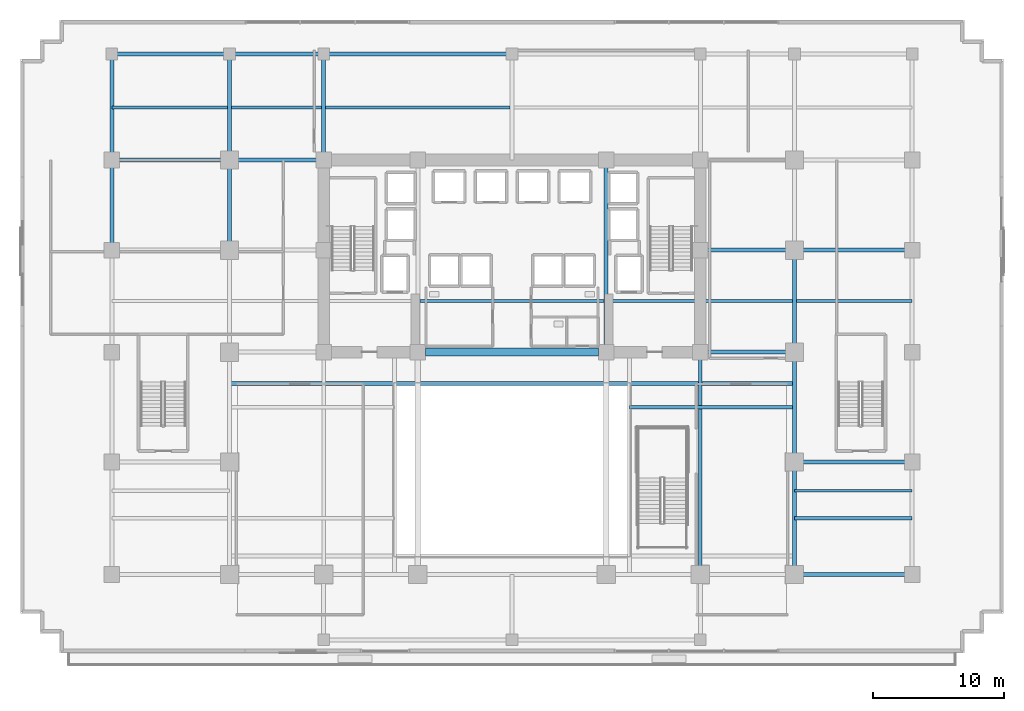
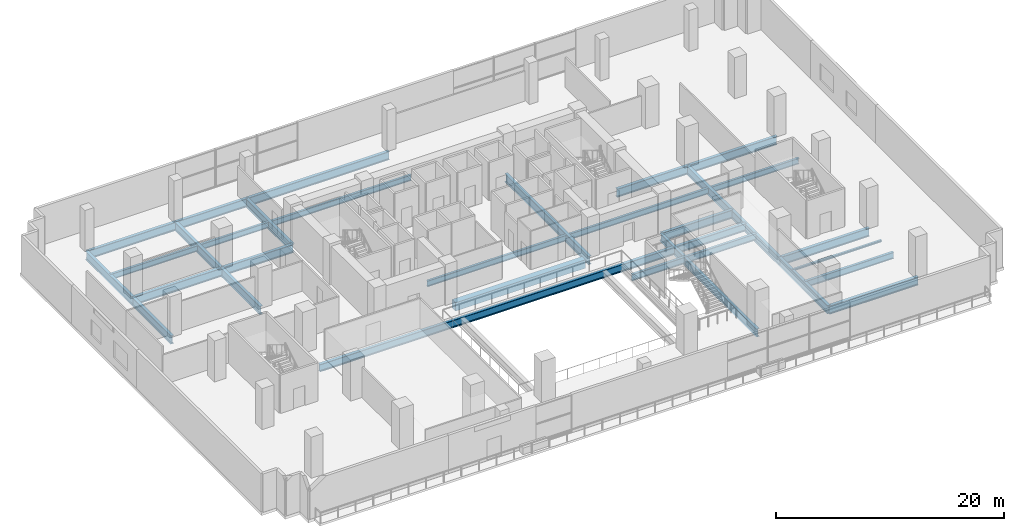
# One storey, part 7 of 22: 31 beams.
"""IFC4 building model written with IfcOpenShell, lengths in metres."""

from ifc_helpers import new_model, si_unit, direction, frame, origin, origin_2d, place, context, subcontext, project, spatial, rectangle, i_section, extrude, material, material_profile, profile_set, type_object, element, save


model = new_model("IFC4")

# Units and contexts
model_context = context("Model", 3, precision=1e-05, world=origin(), true_north=direction((0.0, 1.0)))
body_context = subcontext(model_context, "Body", "Model", "MODEL_VIEW")
ifc_project = project(units=[si_unit("LENGTHUNIT", "METRE"), si_unit("AREAUNIT", "SQUARE_METRE"), si_unit("VOLUMEUNIT", "CUBIC_METRE"), si_unit("PLANEANGLEUNIT", "RADIAN"), si_unit("MASSUNIT", "GRAM", prefix="KILO")], contexts=[model_context])

# Site, building, storey
site_placement = place(None, origin())
site = spatial("IfcSite", under=ifc_project, at=site_placement, CompositionType="ELEMENT")
building_placement = place(site_placement, origin())
building = spatial("IfcBuilding", under=site, at=building_placement, Name="Zarnakvel Exchange Tower", CompositionType="ELEMENT")
storey_placement = place(building_placement, frame((0.0, 0.0, 9.39990234375)))
storey = spatial("IfcBuildingStorey", under=building, at=storey_placement, Name="L02", CompositionType="ELEMENT", Elevation=9.39990234375)

# Beams
ifc_material_1 = material(Name="Steel S355", Category="steel")
ifc_material_profile_1 = material_profile(ifc_material_1, i_section(OverallWidth=0.255859375, OverallDepth=0.69287109375, WebThickness=0.014404296875, FlangeThickness=0.023681640625, FilletRadius=0.01513671875, at=origin_2d()))
ifc_profile_set_1 = profile_set([ifc_material_profile_1], Name="Steel S355")
beam_type_1 = type_object("IfcBeamType", Name="B-01", PredefinedType="JOIST", material=ifc_profile_set_1)
beam_1_placement = place(storey_placement, frame((21.60009765625, -13.89990234375, -0.646240234375), z_axis=(1.0, 0.0, 0.0), x_axis=(0.0, 1.0, 0.0)))
element("IfcBeam", 1, at=beam_1_placement, inside=storey, type_object=beam_type_1, Name="L02 Podium Wing Secondary Joist East", PredefinedType="JOIST", context=body_context, shape_type="SweptSolid", body=[
    extrude(i_section(OverallWidth=0.255859375, OverallDepth=0.69287109375, WebThickness=0.014404296875, FlangeThickness=0.023681640625, FilletRadius=0.01513671875, at=origin_2d()), origin(), (0.0, 0.0, 1.0), 9.0),
])
beam_2_placement = place(storey_placement, frame((9.0, -5.39990234375, -0.646240234375), z_axis=(1.0, 0.0, 0.0), x_axis=(0.0, 1.0, 0.0)))
element("IfcBeam", 2, at=beam_2_placement, inside=storey, type_object=beam_type_1, Name="L02 Exchange Hall Atrium Trimmer East", PredefinedType="JOIST", context=body_context, shape_type="SweptSolid", body=[
    extrude(i_section(OverallWidth=0.255859375, OverallDepth=0.69287109375, WebThickness=0.014404296875, FlangeThickness=0.023681640625, FilletRadius=0.01513671875, at=origin_2d()), origin(), (0.0, 0.0, 1.0), 12.60009765625),
])
ifc_material_profile_2 = material_profile(ifc_material_1, i_section(OverallWidth=0.230224609375, OverallDepth=0.6171875, WebThickness=0.01318359375, FlangeThickness=0.022216796875, FilletRadius=0.0126953125, at=origin_2d()))
ifc_profile_set_2 = profile_set([ifc_material_profile_2], Name="Steel S355")
beam_type_2 = type_object("IfcBeamType", Name="B-02", PredefinedType="JOIST", material=ifc_profile_set_2)
beam_3_placement = place(storey_placement, frame((-7.050048828125, 2.699951171875, -0.6083984375), z_axis=(1.0, 0.0, 0.0), x_axis=(0.0, 1.0, 0.0)))
element("IfcBeam", 3, at=beam_3_placement, inside=storey, type_object=beam_type_2, Name="L02 Secondary Floor Joist", PredefinedType="JOIST", context=body_context, shape_type="SweptSolid", body=[
    extrude(i_section(OverallWidth=0.230224609375, OverallDepth=0.6171875, WebThickness=0.01318359375, FlangeThickness=0.022216796875, FilletRadius=0.0126953125, at=origin_2d()), origin(), (0.0, 0.0, 1.0), 14.10009765625),
])
beam_4_placement = place(storey_placement, frame((7.35009765625, 2.699951171875, -0.6083984375), z_axis=(1.0, 0.0, 0.0), x_axis=(0.0, 1.0, 0.0)))
element("IfcBeam", 4, at=beam_4_placement, inside=storey, type_object=beam_type_2, Name="L02 Secondary Floor Joist", PredefinedType="JOIST", context=body_context, shape_type="SweptSolid", body=[
    extrude(i_section(OverallWidth=0.230224609375, OverallDepth=0.6171875, WebThickness=0.01318359375, FlangeThickness=0.022216796875, FilletRadius=0.0126953125, at=origin_2d()), origin(), (0.0, 0.0, 1.0), 14.099853515625),
])
for number, where, z_axis, x_axis, name in (
    (5, (21.75, 2.699951171875, -0.6083984375), (1.0, 0.0, 0.0), (0.0, 1.0, 0.0), "L02 Secondary Floor Joist"),
    (6, (-30.60009765625, 17.5, -0.6083984375), (1.0, 0.0, 0.0), (0.0, 1.0, 0.0), "L02 North Bay Secondary Floor Joist"),
):
    element("IfcBeam", number, at=place(storey_placement, frame(where, z_axis=z_axis, x_axis=x_axis)), inside=storey, type_object=beam_type_2, Name=name, PredefinedType="JOIST", context=body_context, shape_type="SweptSolid", body=[
        extrude(i_section(OverallWidth=0.230224609375, OverallDepth=0.6171875, WebThickness=0.01318359375, FlangeThickness=0.022216796875, FilletRadius=0.0126953125, at=origin_2d()), origin(), (0.0, 0.0, 1.0), 8.85009765625),
    ])
beam_5_placement = place(storey_placement, frame((-21.449951171875, 17.5, -0.6083984375), z_axis=(1.0, 0.0, 0.0), x_axis=(0.0, 1.0, 0.0)))
element("IfcBeam", 7, at=beam_5_placement, inside=storey, type_object=beam_type_2, Name="L02 North Bay Secondary Floor Joist", PredefinedType="JOIST", context=body_context, shape_type="SweptSolid", body=[
    extrude(i_section(OverallWidth=0.230224609375, OverallDepth=0.6171875, WebThickness=0.01318359375, FlangeThickness=0.022216796875, FilletRadius=0.0126953125, at=origin_2d()), origin(), (0.0, 0.0, 1.0), 6.89990234375),
])
beam_6_placement = place(storey_placement, frame((-14.25, 17.5, -0.6083984375), z_axis=(1.0, 0.0, 0.0), x_axis=(0.0, 1.0, 0.0)))
element("IfcBeam", 8, at=beam_6_placement, inside=storey, type_object=beam_type_2, Name="L02 North Bay Secondary Floor Joist", PredefinedType="JOIST", context=body_context, shape_type="SweptSolid", body=[
    extrude(i_section(OverallWidth=0.230224609375, OverallDepth=0.6171875, WebThickness=0.01318359375, FlangeThickness=0.022216796875, FilletRadius=0.0126953125, at=origin_2d()), origin(), (0.0, 0.0, 1.0), 14.10009765625),
])
ifc_material_2 = material(Name="Concrete C80/95", Category="concrete")
ifc_material_profile_3 = material_profile(ifc_material_2, rectangle(XDim=0.60009765625, YDim=0.89990234375, at=origin_2d()))
ifc_profile_set_3 = profile_set([ifc_material_profile_3], Name="Concrete C80/95")
beam_type_3 = type_object("IfcBeamType", Name="CB-01", PredefinedType="LINTEL", material=ifc_profile_set_3)
beam_7_placement = place(storey_placement, frame((-6.60009765625, -1.199951171875, -0.75), z_axis=(1.0, 0.0, 0.0), x_axis=(0.0, 1.0, 0.0)))
element("IfcBeam", 9, at=beam_7_placement, inside=storey, type_object=beam_type_3, Name="L02 Rear Core South Coupling Beam (CB-01)", PredefinedType="LINTEL", context=body_context, shape_type="SweptSolid", body=[
    extrude(rectangle(XDim=0.60009765625, YDim=0.89990234375, at=origin_2d()), origin(), (0.0, 0.0, 1.0), 13.2001953125),
])
ifc_material_profile_4 = material_profile(ifc_material_1, i_section(OverallWidth=0.300048828125, OverallDepth=0.89990234375, WebThickness=0.0185546875, FlangeThickness=0.034912109375, FilletRadius=0.030029296875, at=origin_2d()))
ifc_profile_set_4 = profile_set([ifc_material_profile_4], Name="Steel S355")
beam_type_4 = type_object("IfcBeamType", Name="G-01", PredefinedType="BEAM", material=ifc_profile_set_4)
for number, where, z_axis, x_axis, name in (
    (10, (21.60009765625, -18.199951171875, -0.75), (1.0, 0.0, 0.0), (0.0, 1.0, 0.0), "L02 Primary E-W Girder Y=-18.2"),
    (11, (21.60009765625, -9.60009765625, -0.75), (1.0, 0.0, 0.0), (0.0, 1.0, 0.0), "L02 Primary E-W Girder Y=-9.6"),
):
    element("IfcBeam", number, at=place(storey_placement, frame(where, z_axis=z_axis, x_axis=x_axis)), inside=storey, type_object=beam_type_4, Name=name, PredefinedType="BEAM", context=body_context, shape_type="SweptSolid", body=[
        extrude(i_section(OverallWidth=0.300048828125, OverallDepth=0.89990234375, WebThickness=0.0185546875, FlangeThickness=0.034912109375, FilletRadius=0.030029296875, at=origin_2d()), origin(), (0.0, 0.0, 1.0), 9.0),
    ])
for number, where, z_axis, x_axis, name in (
    (12, (14.39990234375, -1.199951171875, -0.75), (1.0, 0.0, 0.0), (0.0, 1.0, 0.0), "L02 Primary E-W Girder Y=-1.2"),
    (13, (14.39990234375, 6.60009765625, -0.75), (1.0, 0.0, 0.0), (0.0, 1.0, 0.0), "L02 Primary E-W Girder Y=+6.6"),
):
    element("IfcBeam", number, at=place(storey_placement, frame(where, z_axis=z_axis, x_axis=x_axis)), inside=storey, type_object=beam_type_4, Name=name, PredefinedType="BEAM", context=body_context, shape_type="SweptSolid", body=[
        extrude(i_section(OverallWidth=0.300048828125, OverallDepth=0.89990234375, WebThickness=0.0185546875, FlangeThickness=0.034912109375, FilletRadius=0.030029296875, at=origin_2d()), origin(), (0.0, 0.0, 1.0), 7.2001953125),
    ])
for number, where, z_axis, x_axis, name in (
    (14, (21.60009765625, 6.60009765625, -0.75), (1.0, 0.0, 0.0), (0.0, 1.0, 0.0), "L02 Primary E-W Girder Y=+6.6"),
    (15, (-30.60009765625, 13.5, -0.75), (1.0, 0.0, 0.0), (0.0, 1.0, 0.0), "L02 Primary E-W Girder Y=+13.5"),
):
    element("IfcBeam", number, at=place(storey_placement, frame(where, z_axis=z_axis, x_axis=x_axis)), inside=storey, type_object=beam_type_4, Name=name, PredefinedType="BEAM", context=body_context, shape_type="SweptSolid", body=[
        extrude(i_section(OverallWidth=0.300048828125, OverallDepth=0.89990234375, WebThickness=0.0185546875, FlangeThickness=0.034912109375, FilletRadius=0.030029296875, at=origin_2d()), origin(), (0.0, 0.0, 1.0), 9.0),
    ])
beam_8_placement = place(storey_placement, frame((-21.60009765625, 13.5, -0.75), z_axis=(1.0, 0.0, 0.0), x_axis=(0.0, 1.0, 0.0)))
element("IfcBeam", 16, at=beam_8_placement, inside=storey, type_object=beam_type_4, Name="L02 Primary E-W Girder Y=+13.5", PredefinedType="BEAM", context=body_context, shape_type="SweptSolid", body=[
    extrude(i_section(OverallWidth=0.300048828125, OverallDepth=0.89990234375, WebThickness=0.0185546875, FlangeThickness=0.034912109375, FilletRadius=0.030029296875, at=origin_2d()), origin(), (0.0, 0.0, 1.0), 7.2001953125),
])
beam_9_placement = place(storey_placement, frame((-30.60009765625, 21.60009765625, -0.75), z_axis=(1.0, 0.0, 0.0), x_axis=(0.0, 1.0, 0.0)))
element("IfcBeam", 17, at=beam_9_placement, inside=storey, type_object=beam_type_4, Name="L02 Primary E-W Girder Y=+21.6", PredefinedType="BEAM", context=body_context, shape_type="SweptSolid", body=[
    extrude(i_section(OverallWidth=0.300048828125, OverallDepth=0.89990234375, WebThickness=0.0185546875, FlangeThickness=0.034912109375, FilletRadius=0.030029296875, at=origin_2d()), origin(), (0.0, 0.0, 1.0), 9.0),
])
beam_10_placement = place(storey_placement, frame((-21.60009765625, 21.60009765625, -0.75), z_axis=(1.0, 0.0, 0.0), x_axis=(0.0, 1.0, 0.0)))
element("IfcBeam", 18, at=beam_10_placement, inside=storey, type_object=beam_type_4, Name="L02 Primary E-W Girder Y=+21.6", PredefinedType="BEAM", context=body_context, shape_type="SweptSolid", body=[
    extrude(i_section(OverallWidth=0.300048828125, OverallDepth=0.89990234375, WebThickness=0.0185546875, FlangeThickness=0.034912109375, FilletRadius=0.030029296875, at=origin_2d()), origin(), (0.0, 0.0, 1.0), 7.2001953125),
])
beam_11_placement = place(storey_placement, frame((-14.39990234375, 21.60009765625, -0.75), z_axis=(1.0, 0.0, 0.0), x_axis=(0.0, 1.0, 0.0)))
element("IfcBeam", 19, at=beam_11_placement, inside=storey, type_object=beam_type_4, Name="L02 Primary E-W Girder Y=+21.6", PredefinedType="BEAM", context=body_context, shape_type="SweptSolid", body=[
    extrude(i_section(OverallWidth=0.300048828125, OverallDepth=0.89990234375, WebThickness=0.0185546875, FlangeThickness=0.034912109375, FilletRadius=0.030029296875, at=origin_2d()), origin(), (0.0, 0.0, 1.0), 14.39990234375),
])
beam_12_placement = place(storey_placement, frame((-30.60009765625, 6.60009765625, -0.75), z_axis=(0.0, 1.0, 0.0), x_axis=(-1.0, 0.0, 0.0)))
element("IfcBeam", 20, at=beam_12_placement, inside=storey, type_object=beam_type_4, Name="L02 Primary N-S Girder X=-30.6", PredefinedType="BEAM", context=body_context, shape_type="SweptSolid", body=[
    extrude(i_section(OverallWidth=0.300048828125, OverallDepth=0.89990234375, WebThickness=0.0185546875, FlangeThickness=0.034912109375, FilletRadius=0.030029296875, at=origin_2d()), origin(), (0.0, 0.0, 1.0), 6.89990234375),
])
beam_13_placement = place(storey_placement, frame((-30.60009765625, 13.5, -0.75), z_axis=(0.0, 1.0, 0.0), x_axis=(-1.0, 0.0, 0.0)))
element("IfcBeam", 21, at=beam_13_placement, inside=storey, type_object=beam_type_4, Name="L02 Primary N-S Girder X=-30.6", PredefinedType="BEAM", context=body_context, shape_type="SweptSolid", body=[
    extrude(i_section(OverallWidth=0.300048828125, OverallDepth=0.89990234375, WebThickness=0.0185546875, FlangeThickness=0.034912109375, FilletRadius=0.030029296875, at=origin_2d()), origin(), (0.0, 0.0, 1.0), 8.10009765625),
])
beam_14_placement = place(storey_placement, frame((-21.60009765625, 6.60009765625, -0.75), z_axis=(0.0, 1.0, 0.0), x_axis=(-1.0, 0.0, 0.0)))
element("IfcBeam", 22, at=beam_14_placement, inside=storey, type_object=beam_type_4, Name="L02 Primary N-S Girder X=-21.6", PredefinedType="BEAM", context=body_context, shape_type="SweptSolid", body=[
    extrude(i_section(OverallWidth=0.300048828125, OverallDepth=0.89990234375, WebThickness=0.0185546875, FlangeThickness=0.034912109375, FilletRadius=0.030029296875, at=origin_2d()), origin(), (0.0, 0.0, 1.0), 6.89990234375),
])
for number, where, z_axis, x_axis, name in (
    (23, (-21.60009765625, 13.5, -0.75), (0.0, 1.0, 0.0), (-1.0, 0.0, 0.0), "L02 Primary N-S Girder X=-21.6"),
    (24, (-14.39990234375, 13.5, -0.75), (0.0, 1.0, 0.0), (-1.0, 0.0, 0.0), "L02 Primary N-S Girder X=-14.4"),
):
    element("IfcBeam", number, at=place(storey_placement, frame(where, z_axis=z_axis, x_axis=x_axis)), inside=storey, type_object=beam_type_4, Name=name, PredefinedType="BEAM", context=body_context, shape_type="SweptSolid", body=[
        extrude(i_section(OverallWidth=0.300048828125, OverallDepth=0.89990234375, WebThickness=0.0185546875, FlangeThickness=0.034912109375, FilletRadius=0.030029296875, at=origin_2d()), origin(), (0.0, 0.0, 1.0), 8.10009765625),
    ])
beam_15_placement = place(storey_placement, frame((7.199951171875, -1.199951171875, -0.75), z_axis=(0.0, 1.0, 0.0), x_axis=(-1.0, 0.0, 0.0)))
element("IfcBeam", 25, at=beam_15_placement, inside=storey, type_object=beam_type_4, Name="L02 Primary N-S Girder X=+7.2", PredefinedType="BEAM", context=body_context, shape_type="SweptSolid", body=[
    extrude(i_section(OverallWidth=0.300048828125, OverallDepth=0.89990234375, WebThickness=0.0185546875, FlangeThickness=0.034912109375, FilletRadius=0.030029296875, at=origin_2d()), origin(), (0.0, 0.0, 1.0), 14.699951171875),
])
beam_16_placement = place(storey_placement, frame((21.60009765625, -18.199951171875, -0.75), z_axis=(0.0, 1.0, 0.0), x_axis=(-1.0, 0.0, 0.0)))
element("IfcBeam", 26, at=beam_16_placement, inside=storey, type_object=beam_type_4, Name="L02 Primary N-S Girder X=+21.6", PredefinedType="BEAM", context=body_context, shape_type="SweptSolid", body=[
    extrude(i_section(OverallWidth=0.300048828125, OverallDepth=0.89990234375, WebThickness=0.0185546875, FlangeThickness=0.034912109375, FilletRadius=0.030029296875, at=origin_2d()), origin(), (0.0, 0.0, 1.0), 8.599853515625),
])
beam_17_placement = place(storey_placement, frame((21.60009765625, -9.60009765625, -0.75), z_axis=(0.0, 1.0, 0.0), x_axis=(-1.0, 0.0, 0.0)))
element("IfcBeam", 27, at=beam_17_placement, inside=storey, type_object=beam_type_4, Name="L02 Primary N-S Girder X=+21.6", PredefinedType="BEAM", context=body_context, shape_type="SweptSolid", body=[
    extrude(i_section(OverallWidth=0.300048828125, OverallDepth=0.89990234375, WebThickness=0.0185546875, FlangeThickness=0.034912109375, FilletRadius=0.030029296875, at=origin_2d()), origin(), (0.0, 0.0, 1.0), 8.400146484375),
])
beam_18_placement = place(storey_placement, frame((21.60009765625, -1.199951171875, -0.75), z_axis=(0.0, 1.0, 0.0), x_axis=(-1.0, 0.0, 0.0)))
element("IfcBeam", 28, at=beam_18_placement, inside=storey, type_object=beam_type_4, Name="L02 Primary N-S Girder X=+21.6", PredefinedType="BEAM", context=body_context, shape_type="SweptSolid", body=[
    extrude(i_section(OverallWidth=0.300048828125, OverallDepth=0.89990234375, WebThickness=0.0185546875, FlangeThickness=0.034912109375, FilletRadius=0.030029296875, at=origin_2d()), origin(), (0.0, 0.0, 1.0), 7.800048828125),
])
ifc_material_profile_5 = material_profile(ifc_material_1, i_section(OverallWidth=0.300048828125, OverallDepth=0.800048828125, WebThickness=0.017578125, FlangeThickness=0.032958984375, FilletRadius=0.030029296875, at=origin_2d()))
ifc_profile_set_5 = profile_set([ifc_material_profile_5], Name="Steel S355")
beam_type_5 = type_object("IfcBeamType", Name="G-02", PredefinedType="BEAM", material=ifc_profile_set_5)
beam_19_placement = place(storey_placement, frame((-21.60009765625, -3.60009765625, -0.699951171875), z_axis=(1.0, 0.0, 0.0), x_axis=(0.0, 1.0, 0.0)))
element("IfcBeam", 29, at=beam_19_placement, inside=storey, type_object=beam_type_5, Name="L02 Atrium North Edge Trimmer Girder", PredefinedType="BEAM", context=body_context, shape_type="SweptSolid", body=[
    extrude(i_section(OverallWidth=0.300048828125, OverallDepth=0.800048828125, WebThickness=0.017578125, FlangeThickness=0.032958984375, FilletRadius=0.030029296875, at=origin_2d()), origin(), (0.0, 0.0, 1.0), 43.2001953125),
])
ifc_material_profile_6 = material_profile(ifc_material_1, i_section(OverallWidth=0.199951171875, OverallDepth=0.199951171875, WebThickness=0.009033203125, FlangeThickness=0.014892578125, FilletRadius=0.01806640625, at=origin_2d()))
ifc_profile_set_6 = profile_set([ifc_material_profile_6], Name="Steel S355")
beam_type_6 = type_object("IfcBeamType", Name="LN-02", PredefinedType="LINTEL", material=ifc_profile_set_6)
beam_20_placement = place(storey_placement, frame((21.60009765625, -11.800048828125, -0.39990234375), z_axis=(1.0, 0.0, 0.0), x_axis=(0.0, 1.0, 0.0)))
element("IfcBeam", 30, at=beam_20_placement, inside=storey, type_object=beam_type_6, Name="L02 Concourse Gallery Opening Lintel East", PredefinedType="LINTEL", context=body_context, shape_type="SweptSolid", body=[
    extrude(i_section(OverallWidth=0.199951171875, OverallDepth=0.199951171875, WebThickness=0.009033203125, FlangeThickness=0.014892578125, FilletRadius=0.01806640625, at=origin_2d()), origin(), (0.0, 0.0, 1.0), 9.0),
])
ifc_material_profile_7 = material_profile(ifc_material_1, i_section(OverallWidth=0.293701171875, OverallDepth=0.850830078125, WebThickness=0.01611328125, FlangeThickness=0.02685546875, FilletRadius=0.017822265625, at=origin_2d()))
ifc_profile_set_7 = profile_set([ifc_material_profile_7], Name="Steel S355")
beam_type_7 = type_object("IfcBeamType", Name="TB-02", PredefinedType="T_BEAM", material=ifc_profile_set_7)
beam_21_placement = place(storey_placement, frame((14.39990234375, -18.199951171875, -0.725341796875), z_axis=(0.0, 1.0, 0.0), x_axis=(-1.0, 0.0, 0.0)))
element("IfcBeam", 31, at=beam_21_placement, inside=storey, type_object=beam_type_7, Name="L02 Primary N-S Girder X=+14.4", PredefinedType="T_BEAM", context=body_context, shape_type="SweptSolid", body=[
    extrude(i_section(OverallWidth=0.293701171875, OverallDepth=0.850830078125, WebThickness=0.01611328125, FlangeThickness=0.02685546875, FilletRadius=0.017822265625, at=origin_2d()), origin(), (0.0, 0.0, 1.0), 17.0),
])

save(model, "model.ifc")
